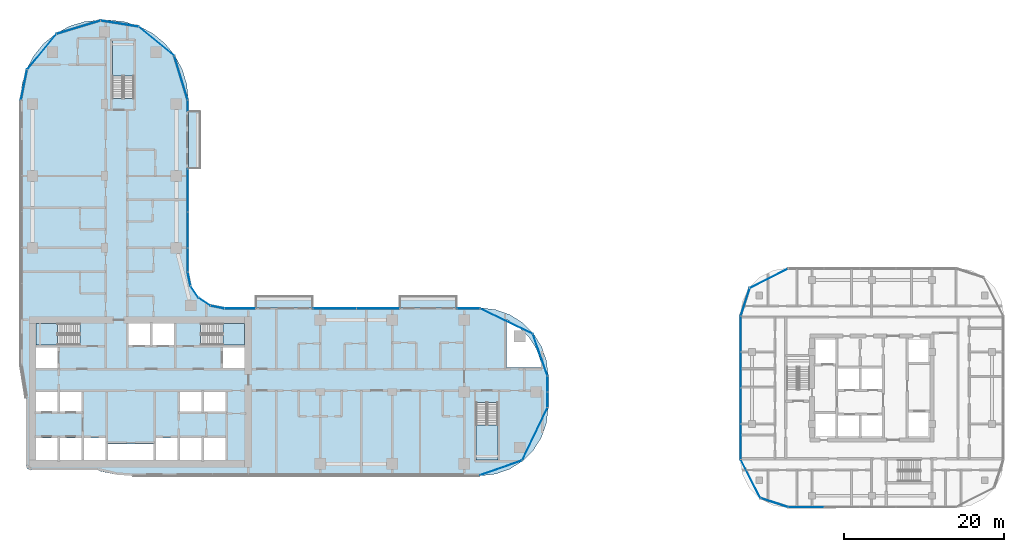
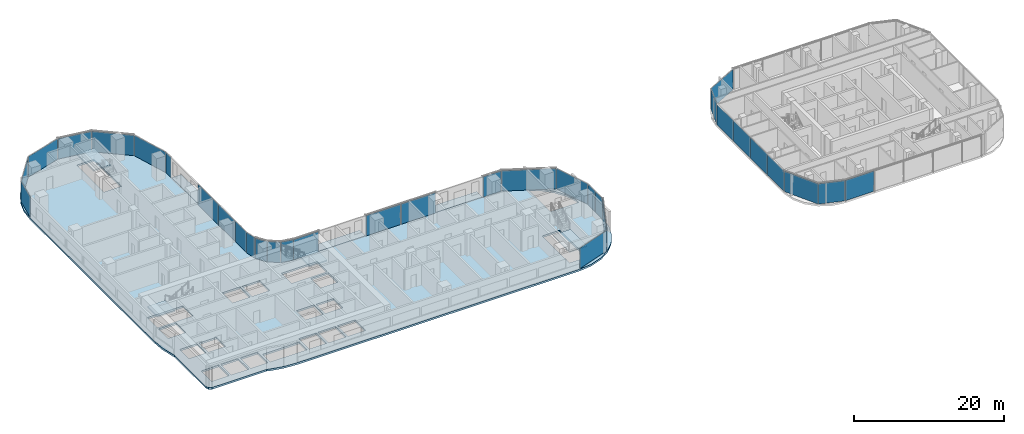
# One storey, part 12 of 31: 33 plates, 8 slabs, 18 elements without a shape of their own.
"""IFC4 building model written with IfcOpenShell, lengths in metres."""

from ifc_helpers import new_model, si_unit, direction, frame, origin, origin_2d, place, context, subcontext, project, spatial, polyline, rectangle, outline, extrude, material, layer, layer_set, type_object, element, aggregate, save


model = new_model("IFC4")

# Units and contexts
model_context = context("Model", 3, precision=1e-05, world=origin(), true_north=direction((0.0, 1.0)))
body_context = subcontext(model_context, "Body", "Model", "MODEL_VIEW")
ifc_project = project(units=[si_unit("LENGTHUNIT", "METRE"), si_unit("AREAUNIT", "SQUARE_METRE"), si_unit("VOLUMEUNIT", "CUBIC_METRE"), si_unit("PLANEANGLEUNIT", "RADIAN"), si_unit("MASSUNIT", "GRAM", prefix="KILO")], contexts=[model_context])

# Site, building, storey
site_placement = place(None, origin())
site = spatial("IfcSite", under=ifc_project, at=site_placement, CompositionType="ELEMENT")
building_placement = place(site_placement, origin())
building = spatial("IfcBuilding", under=site, at=building_placement, Name="Ogive Portal Towers", CompositionType="ELEMENT")
storey_placement = place(building_placement, frame((0.0, 0.0, 74.199951171875)))
storey = spatial("IfcBuildingStorey", under=building, at=storey_placement, Name="L17", CompositionType="ELEMENT", Elevation=74.199951171875)

# Slabs
ifc_material_1 = material(Name="Concrete C40/50", Category="concrete")
ifc_layer_1 = layer(ifc_material_1, 0.199951171875)
ifc_layer_set_1 = layer_set([ifc_layer_1], Name="BALCONY SLAB 200")
slab_type_1 = type_object("IfcSlabType", Name="BALCONY SLAB 200", PredefinedType="FLOOR", material=ifc_layer_set_1)
slab_1_placement = place(storey_placement, frame((0.0, 0.0, -0.199951171875)))
element("IfcSlab", 1, at=slab_1_placement, inside=storey, type_object=slab_type_1, Name="Balcony T1", PredefinedType="FLOOR", context=body_context, shape_type="SweptSolid", body=[
    extrude(outline(polyline([(59.39990234375, 41.0), (66.60009765625, 41.0), (66.60009765625, 42.5), (59.39990234375, 42.5), (59.39990234375, 41.0)])), origin(), (0.0, 0.0, 1.0), 0.199951171875),
])
slab_2_placement = place(storey_placement, frame((0.0, 0.0, -0.199951171875)))
element("IfcSlab", 2, at=slab_2_placement, inside=storey, type_object=slab_type_1, Name="Balcony T3", PredefinedType="FLOOR", context=body_context, shape_type="SweptSolid", body=[
    extrude(outline(polyline([(77.39990234375, 41.0), (84.60009765625, 41.0), (84.60009765625, 42.5), (77.39990234375, 42.5), (77.39990234375, 41.0)])), origin(), (0.0, 0.0, 1.0), 0.199951171875),
])
slab_3_placement = place(storey_placement, frame((0.0, 0.0, -0.199951171875)))
element("IfcSlab", 3, at=slab_3_placement, inside=storey, type_object=slab_type_1, Name="Balcony S2", PredefinedType="FLOOR", context=body_context, shape_type="SweptSolid", body=[
    extrude(outline(polyline([(51.0, 58.39990234375), (52.5, 58.39990234375), (52.5, 65.60009765625), (51.0, 65.60009765625), (51.0, 58.39990234375)])), origin(), (0.0, 0.0, 1.0), 0.199951171875),
])

# Curtain wall, plates
ifc_material_2 = material(Name="Glass, clear low-iron insulated glazing", Category="glass")
curtain_wall_type_1 = type_object("IfcCurtainWallType", Name="CW FRONT RIBBON 4500", PredefinedType="NOTDEFINED", material=ifc_material_2)
curtain_wall_1_placement = place(storey_placement, origin())
curtain_wall_1 = element("IfcCurtainWall", 4, at=curtain_wall_1_placement, inside=storey, type_object=curtain_wall_type_1, Name="A:L17:f09:cw0", PredefinedType="NOTDEFINED")
ifc_layer_2 = layer(ifc_material_2, 0.028076171875)
ifc_layer_set_2 = layer_set([ifc_layer_2], Name="CW PANEL IGU 28")
plate_type = type_object("IfcPlateType", Name="CW PANEL IGU 28", PredefinedType="CURTAIN_PANEL", material=ifc_layer_set_2)
plate_1_placement = place(storey_placement, frame((95.919921875, 29.509033203125, 0.0), z_axis=(0.0, 0.0, 1.0), x_axis=(0.0, 1.0, 0.0)))
plate_1 = element("IfcPlate", 5, at=plate_1_placement, type_object=plate_type, Name="panel", PredefinedType="CURTAIN_PANEL", context=body_context, shape_type="SweptSolid", body=[
    extrude(rectangle(XDim=1.921630859375, YDim=0.028076171875, at=origin_2d()), origin(), (0.0, 0.0, 1.0), 3.340087890625),
])
plate_2_placement = place(storey_placement, frame((95.919921875, 31.4931640625, 0.0), z_axis=(0.0, 0.0, 1.0), x_axis=(0.0, 1.0, 0.0)))
plate_2 = element("IfcPlate", 6, at=plate_2_placement, type_object=plate_type, Name="panel", PredefinedType="CURTAIN_PANEL", context=body_context, shape_type="SweptSolid", body=[
    extrude(rectangle(XDim=1.926513671875, YDim=0.028076171875, at=origin_2d()), origin(), (0.0, 0.0, 1.0), 3.340087890625),
])
aggregate(curtain_wall_1, [plate_1, plate_2])

# Curtain wall, plate
curtain_wall_2_placement = place(storey_placement, origin())
curtain_wall_2 = element("IfcCurtainWall", 7, at=curtain_wall_2_placement, inside=storey, type_object=curtain_wall_type_1, Name="A:L17:f12:cw0", PredefinedType="NOTDEFINED")
plate_3_placement = place(storey_placement, frame((86.0322265625, 40.919921875, 0.0), z_axis=(0.0, 0.0, 1.0), x_axis=(-1.0, 0.0, 0.0)))
plate_3 = element("IfcPlate", 8, at=plate_3_placement, type_object=plate_type, Name="panel", PredefinedType="CURTAIN_PANEL", context=body_context, shape_type="SweptSolid", body=[
    extrude(rectangle(XDim=2.839111328125, YDim=0.028076171875, at=origin_2d()), origin(), (0.0, 0.0, 1.0), 3.340087890625),
])
aggregate(curtain_wall_2, [plate_3])

# Curtain wall, plates
curtain_wall_3_placement = place(storey_placement, origin())
curtain_wall_3 = element("IfcCurtainWall", 9, at=curtain_wall_3_placement, inside=storey, type_object=curtain_wall_type_1, Name="A:L17:f12:cw1", PredefinedType="NOTDEFINED")
plate_4_placement = place(storey_placement, frame((74.692626953125, 40.919921875, 0.0), z_axis=(0.0, 0.0, 1.0), x_axis=(-1.0, 0.0, 0.0)))
plate_4 = element("IfcPlate", 10, at=plate_4_placement, type_object=plate_type, Name="panel", PredefinedType="CURTAIN_PANEL", context=body_context, shape_type="SweptSolid", body=[
    extrude(rectangle(XDim=5.324951171875, YDim=0.028076171875, at=origin_2d()), origin(), (0.0, 0.0, 1.0), 3.340087890625),
])
plate_5_placement = place(storey_placement, frame((69.294189453125, 40.919921875, 0.0), z_axis=(0.0, 0.0, 1.0), x_axis=(-1.0, 0.0, 0.0)))
plate_5 = element("IfcPlate", 11, at=plate_5_placement, type_object=plate_type, Name="panel", PredefinedType="CURTAIN_PANEL", context=body_context, shape_type="SweptSolid", body=[
    extrude(rectangle(XDim=5.3515625, YDim=0.028076171875, at=origin_2d()), origin(), (0.0, 0.0, 1.0), 3.340087890625),
])
aggregate(curtain_wall_3, [plate_4, plate_5])

# Curtain wall, plate
curtain_wall_4_placement = place(storey_placement, origin())
curtain_wall_4 = element("IfcCurtainWall", 12, at=curtain_wall_4_placement, inside=storey, type_object=curtain_wall_type_1, Name="A:L17:f12:cw2", PredefinedType="NOTDEFINED")
plate_6_placement = place(storey_placement, frame((57.44140625, 40.919921875, 0.0), z_axis=(0.0, 0.0, 1.0), x_axis=(-1.0, 0.0, 0.0)))
plate_6 = element("IfcPlate", 13, at=plate_6_placement, type_object=plate_type, Name="panel", PredefinedType="CURTAIN_PANEL", context=body_context, shape_type="SweptSolid", body=[
    extrude(rectangle(XDim=3.838623046875, YDim=0.028076171875, at=origin_2d()), origin(), (0.0, 0.0, 1.0), 3.340087890625),
])
aggregate(curtain_wall_4, [plate_6])

# Curtain wall, plates
curtain_wall_5_placement = place(storey_placement, origin())
curtain_wall_5 = element("IfcCurtainWall", 14, at=curtain_wall_5_placement, inside=storey, type_object=curtain_wall_type_1, Name="A:L17:f17:cw0", PredefinedType="NOTDEFINED")
plate_7_placement = place(storey_placement, frame((50.919921875, 46.99609375, 0.0), z_axis=(0.0, 0.0, 1.0), x_axis=(0.0, 1.0, 0.0)))
plate_7 = element("IfcPlate", 15, at=plate_7_placement, type_object=plate_type, Name="panel", PredefinedType="CURTAIN_PANEL", context=body_context, shape_type="SweptSolid", body=[
    extrude(rectangle(XDim=2.947998046875, YDim=0.028076171875, at=origin_2d()), origin(), (0.0, 0.0, 1.0), 3.340087890625),
])
plate_8_placement = place(storey_placement, frame((50.919921875, 50.75, 0.0), z_axis=(0.0, 0.0, 1.0), x_axis=(0.0, 1.0, 0.0)))
plate_8 = element("IfcPlate", 16, at=plate_8_placement, type_object=plate_type, Name="panel", PredefinedType="CURTAIN_PANEL", context=body_context, shape_type="SweptSolid", body=[
    extrude(rectangle(XDim=4.43994140625, YDim=0.028076171875, at=origin_2d()), origin(), (0.0, 0.0, 1.0), 3.340087890625),
])
plate_9_placement = place(storey_placement, frame((50.919921875, 55.69482421875, 0.0), z_axis=(0.0, 0.0, 1.0), x_axis=(0.0, 1.0, 0.0)))
plate_9 = element("IfcPlate", 17, at=plate_9_placement, type_object=plate_type, Name="panel", PredefinedType="CURTAIN_PANEL", context=body_context, shape_type="SweptSolid", body=[
    extrude(rectangle(XDim=5.329833984375, YDim=0.028076171875, at=origin_2d()), origin(), (0.0, 0.0, 1.0), 3.340087890625),
])
aggregate(curtain_wall_5, [plate_7, plate_8, plate_9])

# Curtain wall, plate
curtain_wall_6_placement = place(storey_placement, origin())
curtain_wall_6 = element("IfcCurtainWall", 18, at=curtain_wall_6_placement, inside=storey, type_object=curtain_wall_type_1, Name="A:L17:f17:cw1", PredefinedType="NOTDEFINED")
plate_10_placement = place(storey_placement, frame((50.919921875, 66.288330078125, 0.0), z_axis=(0.0, 0.0, 1.0), x_axis=(0.0, 1.0, 0.0)))
plate_10 = element("IfcPlate", 19, at=plate_10_placement, type_object=plate_type, Name="panel", PredefinedType="CURTAIN_PANEL", context=body_context, shape_type="SweptSolid", body=[
    extrude(rectangle(XDim=1.33984375, YDim=0.028076171875, at=origin_2d()), origin(), (0.0, 0.0, 1.0), 3.340087890625),
])
aggregate(curtain_wall_6, [plate_10])

# Curtain wall, plates
curtain_wall_7_placement = place(storey_placement, origin())
curtain_wall_7 = element("IfcCurtainWall", 20, at=curtain_wall_7_placement, inside=storey, type_object=curtain_wall_type_1, Name="A:L17:f07:cwa", PredefinedType="NOTDEFINED")
plate_11_placement = place(storey_placement, frame((90.1142578125, 20.99951171875, 0.0), z_axis=(0.0, 0.0, 1.0), x_axis=(0.943883330307, 0.33027906196, 0.0)))
plate_11 = element("IfcPlate", 21, at=plate_11_placement, type_object=plate_type, Name="panel", PredefinedType="CURTAIN_PANEL", context=body_context, shape_type="SweptSolid", body=[
    extrude(rectangle(XDim=5.508056640625, YDim=0.028076171875, at=origin_2d()), origin(), (0.0, 0.0, 1.0), 3.340087890625),
])
plate_12_placement = place(storey_placement, frame((94.3310546875, 25.21875, 0.0), z_axis=(0.0, 0.0, 1.0), x_axis=(0.433883739113, 0.900968867905, 0.0)))
plate_12 = element("IfcPlate", 22, at=plate_12_placement, type_object=plate_type, Name="panel", PredefinedType="CURTAIN_PANEL", context=body_context, shape_type="SweptSolid", body=[
    extrude(rectangle(XDim=7.2646484375, YDim=0.028076171875, at=origin_2d()), origin(), (0.0, 0.0, 1.0), 3.340087890625),
])
aggregate(curtain_wall_7, [plate_11, plate_12])

curtain_wall_8_placement = place(storey_placement, origin())
curtain_wall_8 = element("IfcCurtainWall", 23, at=curtain_wall_8_placement, inside=storey, type_object=curtain_wall_type_1, Name="A:L17:f10:cwa", PredefinedType="NOTDEFINED")
plate_13_placement = place(storey_placement, frame((95.00048828125, 35.1142578125, 0.0), z_axis=(0.0, 0.0, 1.0), x_axis=(-0.33027906196, 0.943883330307, 0.0)))
plate_13 = element("IfcPlate", 24, at=plate_13_placement, type_object=plate_type, Name="panel", PredefinedType="CURTAIN_PANEL", context=body_context, shape_type="SweptSolid", body=[
    extrude(rectangle(XDim=5.508056640625, YDim=0.028076171875, at=origin_2d()), origin(), (0.0, 0.0, 1.0), 3.340087890625),
])
plate_14_placement = place(storey_placement, frame((90.78125, 39.3310546875, 0.0), z_axis=(0.0, 0.0, 1.0), x_axis=(-0.900968867905, 0.433883739113, 0.0)))
plate_14 = element("IfcPlate", 25, at=plate_14_placement, type_object=plate_type, Name="panel", PredefinedType="CURTAIN_PANEL", context=body_context, shape_type="SweptSolid", body=[
    extrude(rectangle(XDim=7.2646484375, YDim=0.028076171875, at=origin_2d()), origin(), (0.0, 0.0, 1.0), 3.340087890625),
])
aggregate(curtain_wall_8, [plate_13, plate_14])

curtain_wall_9_placement = place(storey_placement, origin())
curtain_wall_9 = element("IfcCurtainWall", 26, at=curtain_wall_9_placement, inside=storey, type_object=curtain_wall_type_1, Name="A:L17:f13:cwa", PredefinedType="NOTDEFINED")
plate_15_placement = place(storey_placement, frame((54.619384765625, 41.093505859375, 0.0), z_axis=(0.0, 0.0, 1.0), x_axis=(-0.980785280403, 0.195090322016, 0.0)))
plate_15 = element("IfcPlate", 27, at=plate_15_placement, type_object=plate_type, Name="panel", PredefinedType="CURTAIN_PANEL", context=body_context, shape_type="SweptSolid", body=[
    extrude(rectangle(XDim=1.7197265625, YDim=0.028076171875, at=origin_2d()), origin(), (0.0, 0.0, 1.0), 3.340087890625),
])
plate_16_placement = place(storey_placement, frame((53.00341796875, 41.763671875, 0.0), z_axis=(0.0, 0.0, 1.0), x_axis=(-0.831469612303, 0.55557023302, 0.0)))
plate_16 = element("IfcPlate", 28, at=plate_16_placement, type_object=plate_type, Name="panel", PredefinedType="CURTAIN_PANEL", context=body_context, shape_type="SweptSolid", body=[
    extrude(rectangle(XDim=1.7275390625, YDim=0.028076171875, at=origin_2d()), origin(), (0.0, 0.0, 1.0), 3.340087890625),
])
plate_17_placement = place(storey_placement, frame((51.763671875, 43.00341796875, 0.0), z_axis=(0.0, 0.0, 1.0), x_axis=(-0.55557023302, 0.831469612303, 0.0)))
plate_17 = element("IfcPlate", 29, at=plate_17_placement, type_object=plate_type, Name="panel", PredefinedType="CURTAIN_PANEL", context=body_context, shape_type="SweptSolid", body=[
    extrude(rectangle(XDim=1.7275390625, YDim=0.028076171875, at=origin_2d()), origin(), (0.0, 0.0, 1.0), 3.340087890625),
])
plate_18_placement = place(storey_placement, frame((51.093505859375, 44.619384765625, 0.0), z_axis=(0.0, 0.0, 1.0), x_axis=(-0.195090322016, 0.980785280403, 0.0)))
plate_18 = element("IfcPlate", 30, at=plate_18_placement, type_object=plate_type, Name="panel", PredefinedType="CURTAIN_PANEL", context=body_context, shape_type="SweptSolid", body=[
    extrude(rectangle(XDim=1.7197265625, YDim=0.028076171875, at=origin_2d()), origin(), (0.0, 0.0, 1.0), 3.340087890625),
])
aggregate(curtain_wall_9, [plate_15, plate_16, plate_17, plate_18])

curtain_wall_10_placement = place(storey_placement, origin())
curtain_wall_10 = element("IfcCurtainWall", 31, at=curtain_wall_10_placement, inside=storey, type_object=curtain_wall_type_1, Name="A:L17:f18:cwa", PredefinedType="NOTDEFINED")
plate_19_placement = place(storey_placement, frame((50.08251953125, 69.748779296875, 0.0), z_axis=(0.0, 0.0, 1.0), x_axis=(-0.290284677254, 0.956940335732, 0.0)))
plate_19 = element("IfcPlate", 32, at=plate_19_placement, type_object=plate_type, Name="panel", PredefinedType="CURTAIN_PANEL", context=body_context, shape_type="SweptSolid", body=[
    extrude(rectangle(XDim=5.70947265625, YDim=0.028076171875, at=origin_2d()), origin(), (0.0, 0.0, 1.0), 3.340087890625),
])
plate_20_placement = place(storey_placement, frame((47.01904296875, 74.336181640625, 0.0), z_axis=(0.0, 0.0, 1.0), x_axis=(-0.773010453363, 0.634393284164, 0.0)))
plate_20 = element("IfcPlate", 33, at=plate_20_placement, type_object=plate_type, Name="panel", PredefinedType="CURTAIN_PANEL", context=body_context, shape_type="SweptSolid", body=[
    extrude(rectangle(XDim=5.69970703125, YDim=0.028076171875, at=origin_2d()), origin(), (0.0, 0.0, 1.0), 3.340087890625),
])
plate_21_placement = place(storey_placement, frame((42.399169921875, 76.54052734375, 0.0), z_axis=(0.0, 0.0, 1.0), x_axis=(-0.987792174992, 0.155777466355, 0.0)))
plate_21 = element("IfcPlate", 34, at=plate_21_placement, type_object=plate_type, Name="panel", PredefinedType="CURTAIN_PANEL", context=body_context, shape_type="SweptSolid", body=[
    extrude(rectangle(XDim=4.786376953125, YDim=0.028076171875, at=origin_2d()), origin(), (0.0, 0.0, 1.0), 3.340087890625),
])
plate_22_placement = place(storey_placement, frame((37.248291015625, 76.08154296875, 0.0), z_axis=(0.0, 0.0, 1.0), x_axis=(-0.956940335732, -0.290284677254, 0.0)))
plate_22 = element("IfcPlate", 35, at=plate_22_placement, type_object=plate_type, Name="panel", PredefinedType="CURTAIN_PANEL", context=body_context, shape_type="SweptSolid", body=[
    extrude(rectangle(XDim=5.703125, YDim=0.028076171875, at=origin_2d()), origin(), (0.0, 0.0, 1.0), 3.340087890625),
])
plate_23_placement = place(storey_placement, frame((32.663330078125, 73.018310546875, 0.0), z_axis=(0.0, 0.0, 1.0), x_axis=(-0.634393284164, -0.773010453363, 0.0)))
plate_23 = element("IfcPlate", 36, at=plate_23_placement, type_object=plate_type, Name="panel", PredefinedType="CURTAIN_PANEL", context=body_context, shape_type="SweptSolid", body=[
    extrude(rectangle(XDim=5.701416015625, YDim=0.028076171875, at=origin_2d()), origin(), (0.0, 0.0, 1.0), 3.340087890625),
])
plate_24_placement = place(storey_placement, frame((30.457763671875, 68.891845703125, 0.0), z_axis=(0.0, 0.0, 1.0), x_axis=(-0.195090322016, -0.980785280403, 0.0)))
plate_24 = element("IfcPlate", 37, at=plate_24_placement, type_object=plate_type, Name="panel", PredefinedType="CURTAIN_PANEL", context=body_context, shape_type="SweptSolid", body=[
    extrude(rectangle(XDim=3.81396484375, YDim=0.028076171875, at=origin_2d()), origin(), (0.0, 0.0, 1.0), 3.340087890625),
])
aggregate(curtain_wall_10, [plate_19, plate_20, plate_21, plate_22, plate_23, plate_24])

# Curtain wall, plate
curtain_wall_type_2 = type_object("IfcCurtainWallType", Name="CW RESIDENCES RIBBON", PredefinedType="NOTDEFINED", material=ifc_material_2)
curtain_wall_11_placement = place(storey_placement, origin())
curtain_wall_11 = element("IfcCurtainWall", 38, at=curtain_wall_11_placement, inside=storey, type_object=curtain_wall_type_2, Name="B:L17:f02:cw0", PredefinedType="NOTDEFINED")
plate_25_placement = place(storey_placement, frame((128.25634765625, 16.080078125, 0.0), z_axis=(0.0, 0.0, 1.0), x_axis=(1.0, 0.0, 0.0)))
plate_25 = element("IfcPlate", 39, at=plate_25_placement, type_object=plate_type, Name="panel", PredefinedType="CURTAIN_PANEL", context=body_context, shape_type="SweptSolid", body=[
    extrude(rectangle(XDim=4.42724609375, YDim=0.028076171875, at=origin_2d()), origin(), (0.0, 0.0, 1.0), 3.340087890625),
])
aggregate(curtain_wall_11, [plate_25])

# Curtain wall, plates
curtain_wall_12_placement = place(storey_placement, origin())
curtain_wall_12 = element("IfcCurtainWall", 40, at=curtain_wall_12_placement, inside=storey, type_object=curtain_wall_type_2, Name="B:L17:f11:cw0", PredefinedType="NOTDEFINED")
plate_26_placement = place(storey_placement, frame((120.080078125, 37.74365234375, 0.0), z_axis=(0.0, 0.0, 1.0), x_axis=(0.0, -1.0, 0.0)))
plate_26 = element("IfcPlate", 41, at=plate_26_placement, type_object=plate_type, Name="panel", PredefinedType="CURTAIN_PANEL", context=body_context, shape_type="SweptSolid", body=[
    extrude(rectangle(XDim=4.42724609375, YDim=0.028076171875, at=origin_2d()), origin(), (0.0, 0.0, 1.0), 3.340087890625),
])
plate_27_placement = place(storey_placement, frame((120.080078125, 33.25, 0.0), z_axis=(0.0, 0.0, 1.0), x_axis=(0.0, -1.0, 0.0)))
plate_27 = element("IfcPlate", 42, at=plate_27_placement, type_object=plate_type, Name="panel", PredefinedType="CURTAIN_PANEL", context=body_context, shape_type="SweptSolid", body=[
    extrude(rectangle(XDim=4.43994140625, YDim=0.028076171875, at=origin_2d()), origin(), (0.0, 0.0, 1.0), 3.340087890625),
])
plate_28_placement = place(storey_placement, frame((120.080078125, 28.75, 0.0), z_axis=(0.0, 0.0, 1.0), x_axis=(0.0, -1.0, 0.0)))
plate_28 = element("IfcPlate", 43, at=plate_28_placement, type_object=plate_type, Name="panel", PredefinedType="CURTAIN_PANEL", context=body_context, shape_type="SweptSolid", body=[
    extrude(rectangle(XDim=4.43994140625, YDim=0.028076171875, at=origin_2d()), origin(), (0.0, 0.0, 1.0), 3.340087890625),
])
plate_29_placement = place(storey_placement, frame((120.080078125, 24.259521484375, 0.0), z_axis=(0.0, 0.0, 1.0), x_axis=(0.0, -1.0, 0.0)))
plate_29 = element("IfcPlate", 44, at=plate_29_placement, type_object=plate_type, Name="panel", PredefinedType="CURTAIN_PANEL", context=body_context, shape_type="SweptSolid", body=[
    extrude(rectangle(XDim=4.4208984375, YDim=0.028076171875, at=origin_2d()), origin(), (0.0, 0.0, 1.0), 3.340087890625),
])
aggregate(curtain_wall_12, [plate_26, plate_27, plate_28, plate_29])

curtain_wall_13_placement = place(storey_placement, origin())
curtain_wall_13 = element("IfcCurtainWall", 45, at=curtain_wall_13_placement, inside=storey, type_object=curtain_wall_type_2, Name="B:L17:f00:cwa", PredefinedType="NOTDEFINED")
plate_30_placement = place(storey_placement, frame((121.3046875, 19.615478515625, 0.0), z_axis=(0.0, 0.0, 1.0), x_axis=(0.45399049974, -0.891006524188, 0.0)))
plate_30 = element("IfcPlate", 46, at=plate_30_placement, type_object=plate_type, Name="panel", PredefinedType="CURTAIN_PANEL", context=body_context, shape_type="SweptSolid", body=[
    extrude(rectangle(XDim=5.33544921875, YDim=0.028076171875, at=origin_2d()), origin(), (0.0, 0.0, 1.0), 3.340087890625),
])
plate_31_placement = place(storey_placement, frame((124.27099609375, 16.645751953125, 0.0), z_axis=(0.0, 0.0, 1.0), x_axis=(0.951056516295, -0.309016994375, 0.0)))
plate_31 = element("IfcPlate", 47, at=plate_31_placement, type_object=plate_type, Name="panel", PredefinedType="CURTAIN_PANEL", context=body_context, shape_type="SweptSolid", body=[
    extrude(rectangle(XDim=3.602294921875, YDim=0.028076171875, at=origin_2d()), origin(), (0.0, 0.0, 1.0), 3.340087890625),
])
aggregate(curtain_wall_13, [plate_30, plate_31])

curtain_wall_14_placement = place(storey_placement, origin())
curtain_wall_14 = element("IfcCurtainWall", 48, at=curtain_wall_14_placement, inside=storey, type_object=curtain_wall_type_2, Name="B:L17:f09:cwa", PredefinedType="NOTDEFINED")
plate_32_placement = place(storey_placement, frame((123.615478515625, 44.6953125, 0.0), z_axis=(0.0, 0.0, 1.0), x_axis=(-0.891006524188, -0.45399049974, 0.0)))
plate_32 = element("IfcPlate", 49, at=plate_32_placement, type_object=plate_type, Name="panel", PredefinedType="CURTAIN_PANEL", context=body_context, shape_type="SweptSolid", body=[
    extrude(rectangle(XDim=5.33544921875, YDim=0.028076171875, at=origin_2d()), origin(), (0.0, 0.0, 1.0), 3.340087890625),
])
plate_33_placement = place(storey_placement, frame((120.645751953125, 41.72900390625, 0.0), z_axis=(0.0, 0.0, 1.0), x_axis=(-0.309016994375, -0.951056516295, 0.0)))
plate_33 = element("IfcPlate", 50, at=plate_33_placement, type_object=plate_type, Name="panel", PredefinedType="CURTAIN_PANEL", context=body_context, shape_type="SweptSolid", body=[
    extrude(rectangle(XDim=3.602294921875, YDim=0.028076171875, at=origin_2d()), origin(), (0.0, 0.0, 1.0), 3.340087890625),
])
aggregate(curtain_wall_14, [plate_32, plate_33])

# Stair, slab
stair_type = type_object("IfcStairType", Name="INT-STAIR", PredefinedType="HALF_TURN_STAIR", material=ifc_material_1)
stair_1_placement = place(storey_placement, origin())
stair_1 = element("IfcStair", 51, at=stair_1_placement, inside=storey, type_object=stair_type, Name="L17 Exit Stair ST-A1", PredefinedType="HALF_TURN_STAIR")
ifc_layer_3 = layer(ifc_material_1, 0.199951171875)
ifc_layer_set_3 = layer_set([ifc_layer_3], Name="INT-LANDING")
slab_type_2 = type_object("IfcSlabType", Name="INT-LANDING", PredefinedType="LANDING", material=ifc_layer_set_3)
slab_4_placement = place(storey_placement, frame((0.0, 0.0, 1.650146484375)))
slab_4 = element("IfcSlab", 52, at=slab_4_placement, type_object=slab_type_2, Name="ST-A1 landing 1", PredefinedType="LANDING", context=body_context, shape_type="SweptSolid", body=[
    extrude(outline(polyline([(34.64990234375, 39.050048828125), (31.949951171875, 39.050048828125), (31.949951171875, 36.35009765625), (34.64990234375, 36.35009765625), (34.64990234375, 39.050048828125)])), origin(), (0.0, 0.0, 1.0), 0.199951171875),
])
aggregate(stair_1, [slab_4])

stair_2_placement = place(storey_placement, origin())
stair_2 = element("IfcStair", 53, at=stair_2_placement, inside=storey, type_object=stair_type, Name="L17 Exit Stair ST-A2", PredefinedType="HALF_TURN_STAIR")
slab_5_placement = place(storey_placement, frame((0.0, 0.0, 1.650146484375)))
slab_5 = element("IfcSlab", 54, at=slab_5_placement, type_object=slab_type_2, Name="ST-A2 landing 1", PredefinedType="LANDING", context=body_context, shape_type="SweptSolid", body=[
    extrude(outline(polyline([(55.35009765625, 36.35009765625), (58.050048828125, 36.35009765625), (58.050048828125, 39.050048828125), (55.35009765625, 39.050048828125), (55.35009765625, 36.35009765625)])), origin(), (0.0, 0.0, 1.0), 0.199951171875),
])
aggregate(stair_2, [slab_5])

stair_3_placement = place(storey_placement, origin())
stair_3 = element("IfcStair", 55, at=stair_3_placement, inside=storey, type_object=stair_type, Name="L17 Exit Stair ST-A3", PredefinedType="HALF_TURN_STAIR")
slab_6_placement = place(storey_placement, frame((0.0, 0.0, 1.650146484375)))
slab_6 = element("IfcSlab", 56, at=slab_6_placement, type_object=slab_type_2, Name="ST-A3 landing 1", PredefinedType="LANDING", context=body_context, shape_type="SweptSolid", body=[
    extrude(outline(polyline([(44.199951171875, 70.0), (44.199951171875, 74.449951171875), (41.5, 74.449951171875), (41.5, 70.0), (44.199951171875, 70.0)])), origin(), (0.0, 0.0, 1.0), 0.199951171875),
])
aggregate(stair_3, [slab_6])

stair_4_placement = place(storey_placement, origin())
stair_4 = element("IfcStair", 57, at=stair_4_placement, inside=storey, type_object=stair_type, Name="L17 Exit Stair ST-A4", PredefinedType="HALF_TURN_STAIR")
slab_7_placement = place(storey_placement, frame((0.0, 0.0, 1.650146484375)))
slab_7 = element("IfcSlab", 58, at=slab_7_placement, type_object=slab_type_2, Name="ST-A4 landing 1", PredefinedType="LANDING", context=body_context, shape_type="SweptSolid", body=[
    extrude(outline(polyline([(87.0, 26.3701171875), (87.0, 21.949951171875), (89.699951171875, 21.949951171875), (89.699951171875, 26.3701171875), (87.0, 26.3701171875)])), origin(), (0.0, 0.0, 1.0), 0.199951171875),
])
aggregate(stair_4, [slab_7])

# Slab
ifc_material_3 = material(Name="Concrete C45/55", Category="concrete")
ifc_layer_4 = layer(ifc_material_3, 0.300048828125)
ifc_layer_set_4 = layer_set([ifc_layer_4], Name="PT FLAT PLATE 300")
slab_type_3 = type_object("IfcSlabType", Name="PT FLAT PLATE 300", PredefinedType="FLOOR", material=ifc_layer_set_4)
slab_8_placement = place(storey_placement, frame((0.0, 0.0, -0.300048828125)))
element("IfcSlab", 59, at=slab_8_placement, inside=storey, type_object=slab_type_3, Name="Floor slab L17", PredefinedType="FLOOR", context=body_context, shape_type="SweptSolid", body=[
    extrude(outline(polyline([(30.142578125, 32.007568359375), (30.567138671875, 30.0556640625), (30.699951171875, 29.699462890625), (30.699951171875, 21.300048828125), (30.875732421875, 20.875732421875), (31.300048828125, 20.699951171875), (39.699462890625, 20.699951171875), (40.0556640625, 20.567138671875), (42.007568359375, 20.142578125), (44.0, 20.0), (87.5, 20.0), (89.391357421875, 20.213134765625), (91.18798828125, 20.841796875), (92.7998046875, 21.8544921875), (94.1455078125, 23.2001953125), (95.158203125, 24.81201171875), (95.786865234375, 26.608642578125), (96.0, 28.5), (96.0, 32.5), (95.786865234375, 34.391357421875), (95.158203125, 36.18798828125), (94.1455078125, 37.7998046875), (92.7998046875, 39.1455078125), (91.18798828125, 40.158203125), (89.391357421875, 40.786865234375), (87.5, 41.0), (55.5, 41.0), (53.77783203125, 41.342529296875), (52.318115234375, 42.318115234375), (51.342529296875, 43.77783203125), (51.0, 45.5), (51.0, 67.0), (50.807861328125, 68.950927734375), (50.23876953125, 70.826904296875), (49.314697265625, 72.5556640625), (48.071044921875, 74.071044921875), (46.5556640625, 75.314697265625), (44.826904296875, 76.23876953125), (42.950927734375, 76.807861328125), (41.0, 77.0), (40.0, 77.0), (38.049072265625, 76.807861328125), (36.173095703125, 76.23876953125), (34.4443359375, 75.314697265625), (32.928955078125, 74.071044921875), (31.685302734375, 72.5556640625), (30.76123046875, 70.826904296875), (30.192138671875, 68.950927734375), (30.0, 67.0), (30.0, 34.0), (30.142578125, 32.007568359375)]), holes=[polyline([(46.6298828125, 21.969970703125), (40.969970703125, 21.969970703125), (40.969970703125, 24.0029296875), (46.6298828125, 24.0029296875), (46.6298828125, 21.969970703125)]), polyline([(34.64990234375, 24.75), (34.64990234375, 21.949951171875), (31.949951171875, 21.949951171875), (31.949951171875, 24.75), (34.64990234375, 24.75)]), polyline([(37.64990234375, 24.75), (37.64990234375, 21.949951171875), (34.949951171875, 21.949951171875), (34.949951171875, 24.75), (37.64990234375, 24.75)]), polyline([(37.969970703125, 21.969970703125), (37.969970703125, 24.72998046875), (40.6298828125, 24.72998046875), (40.6298828125, 21.969970703125), (37.969970703125, 21.969970703125)]), polyline([(34.64990234375, 28.050048828125), (31.949951171875, 28.050048828125), (31.949951171875, 30.5), (34.64990234375, 30.5), (34.64990234375, 28.050048828125)]), polyline([(37.64990234375, 30.5), (37.64990234375, 28.050048828125), (34.949951171875, 28.050048828125), (34.949951171875, 30.5), (37.64990234375, 30.5)]), polyline([(34.64990234375, 33.5), (31.949951171875, 33.5), (31.949951171875, 36.050048828125), (34.64990234375, 36.050048828125), (34.64990234375, 33.5)]), polyline([(37.447998046875, 39.048095703125), (37.447998046875, 36.35205078125), (31.951904296875, 36.35205078125), (31.951904296875, 39.048095703125), (37.447998046875, 39.048095703125)]), polyline([(46.199951171875, 39.050048828125), (46.199951171875, 36.35009765625), (43.5, 36.35009765625), (43.5, 39.050048828125), (46.199951171875, 39.050048828125)]), polyline([(49.199951171875, 36.35009765625), (46.5, 36.35009765625), (46.5, 39.050048828125), (49.199951171875, 39.050048828125), (49.199951171875, 36.35009765625)]), polyline([(44.197998046875, 67.201904296875), (41.501953125, 67.201904296875), (41.501953125, 74.447998046875), (44.197998046875, 74.447998046875), (44.197998046875, 67.201904296875)]), polyline([(49.6298828125, 21.969970703125), (46.969970703125, 21.969970703125), (46.969970703125, 24.72998046875), (49.6298828125, 24.72998046875), (49.6298828125, 21.969970703125)]), polyline([(52.64990234375, 24.75), (52.64990234375, 21.949951171875), (49.949951171875, 21.949951171875), (49.949951171875, 24.75), (52.64990234375, 24.75)]), polyline([(55.64990234375, 21.949951171875), (52.949951171875, 21.949951171875), (52.949951171875, 24.75), (55.64990234375, 24.75), (55.64990234375, 21.949951171875)]), polyline([(87.001953125, 29.16796875), (89.697998046875, 29.16796875), (89.697998046875, 21.951904296875), (87.001953125, 21.951904296875), (87.001953125, 29.16796875)]), polyline([(52.64990234375, 30.5), (52.64990234375, 28.050048828125), (49.949951171875, 28.050048828125), (49.949951171875, 30.5), (52.64990234375, 30.5)]), polyline([(55.64990234375, 28.050048828125), (52.949951171875, 28.050048828125), (52.949951171875, 30.5), (55.64990234375, 30.5), (55.64990234375, 28.050048828125)]), polyline([(58.050048828125, 36.050048828125), (58.050048828125, 33.5), (55.35009765625, 33.5), (55.35009765625, 36.050048828125), (58.050048828125, 36.050048828125)]), polyline([(94.523681640625, 35.88232421875), (95.080078125, 34.292236328125), (95.080078125, 33.52001953125), (90.77001953125, 33.52001953125), (90.77001953125, 39.56298828125), (90.88232421875, 39.523681640625), (92.360595703125, 38.5947265625), (93.5947265625, 37.360595703125), (94.523681640625, 35.88232421875)]), polyline([(52.552001953125, 36.35205078125), (52.552001953125, 39.048095703125), (58.048095703125, 39.048095703125), (58.048095703125, 36.35205078125), (52.552001953125, 36.35205078125)])]), origin(), (0.0, 0.0, 1.0), 0.300048828125),
])

save(model, "model.ifc")
